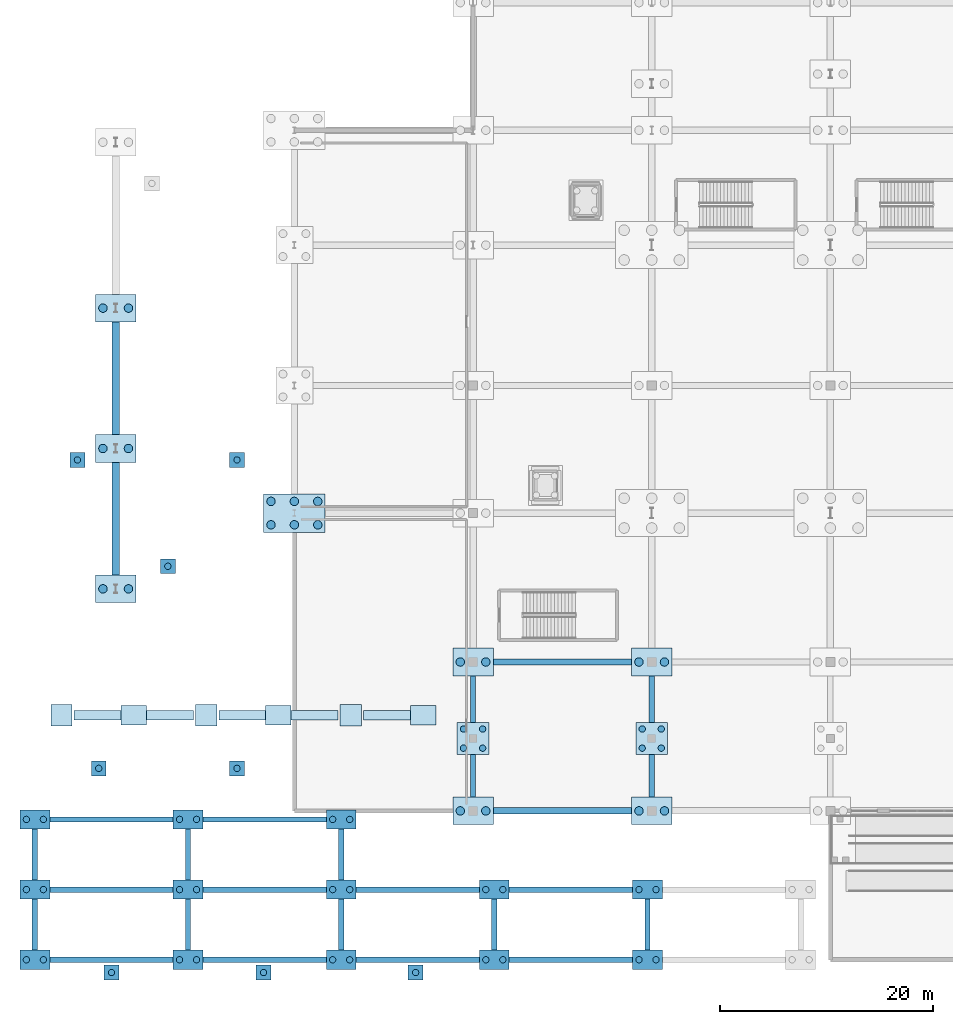
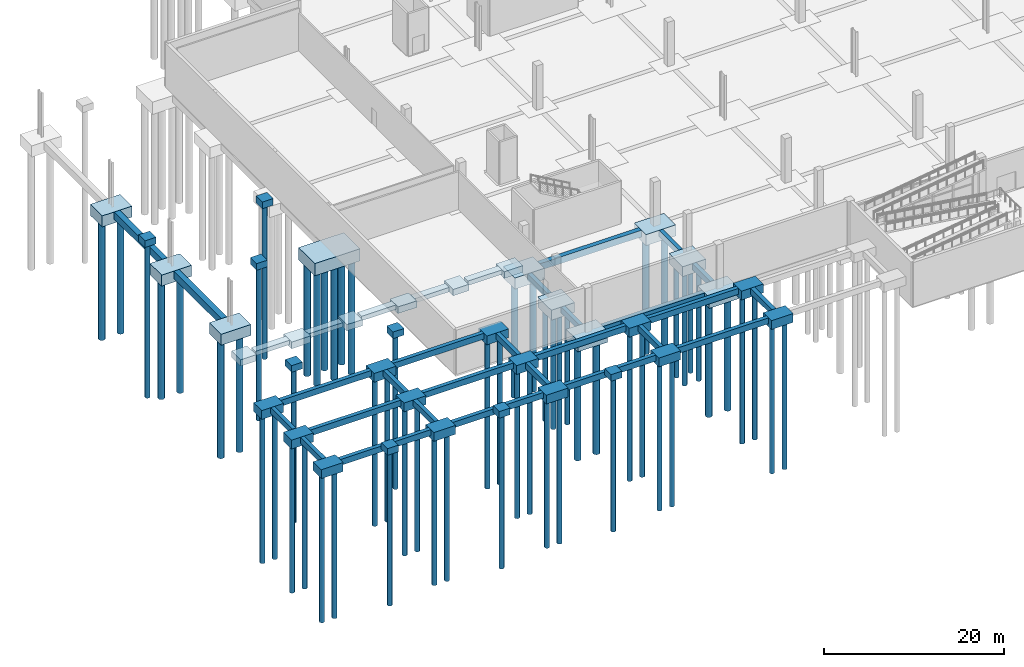
# One storey, part 1 of 46: 68 footings, 62 piles.
"""IFC4 building model written with IfcOpenShell, lengths in metres."""

from ifc_helpers import new_model, si_unit, direction, frame, origin, origin_2d, place, context, subcontext, project, spatial, rectangle, circle, extrude, material, material_profile, profile_set, type_object, element, save


model = new_model("IFC4")

# Units and contexts
model_context = context("Model", 3, precision=1e-05, world=origin(), true_north=direction((0.0, 1.0)))
body_context = subcontext(model_context, "Body", "Model", "MODEL_VIEW")
ifc_project = project(units=[si_unit("LENGTHUNIT", "METRE"), si_unit("AREAUNIT", "SQUARE_METRE"), si_unit("VOLUMEUNIT", "CUBIC_METRE"), si_unit("PLANEANGLEUNIT", "RADIAN"), si_unit("MASSUNIT", "GRAM", prefix="KILO")], contexts=[model_context])

# Site, building, storey
site_placement = place(None, origin())
site = spatial("IfcSite", under=ifc_project, at=site_placement, CompositionType="ELEMENT")
building_placement = place(site_placement, origin())
building = spatial("IfcBuilding", under=site, at=building_placement, Name="Kimbaza Rail Terminus", CompositionType="ELEMENT")
storey_placement = place(building_placement, frame((0.0, 0.0, -6.0)))
storey = spatial("IfcBuildingStorey", under=building, at=storey_placement, Name="B1", CompositionType="ELEMENT", Elevation=-6.0)

# Footings
ifc_material_1 = material(Name="Concrete C40/50", Category="concrete")
ifc_material_profile_1 = material_profile(ifc_material_1, rectangle(XDim=0.60009765625, YDim=0.89990234375, at=origin_2d()), Name="GB-01 600x900")
ifc_profile_set_1 = profile_set([ifc_material_profile_1], Name="Concrete C40/50")
footing_type_1 = type_object("IfcFootingType", Name="STR-GB-01", PredefinedType="FOOTING_BEAM", material=ifc_profile_set_1)
for number, where, z_axis, x_axis, name in (
    (1, (57.10205078125, 27.0, -0.449951171875), (1.0, 0.0, 0.0), (0.0, 1.0, 0.0), "Ground Tie Beam GB-V2X-1-0"),
    (2, (57.10205078125, 41.0, -0.449951171875), (1.0, 0.0, 0.0), (0.0, 1.0, 0.0), "Ground Tie Beam GB-V2X-1-1"),
):
    element("IfcFooting", number, at=place(storey_placement, frame(where, z_axis=z_axis, x_axis=x_axis)), inside=storey, type_object=footing_type_1, Name=name, PredefinedType="FOOTING_BEAM", context=body_context, shape_type="SweptSolid", body=[
        extrude(rectangle(XDim=0.60009765625, YDim=0.89990234375, at=origin_2d()), origin(), (0.0, 0.0, 1.0), 12.995849609375),
    ])
ifc_material_2 = material(Name="Concrete C40/50", Category="concrete")
ifc_material_profile_2 = material_profile(ifc_material_2, rectangle(XDim=0.5, YDim=0.800048828125, at=origin_2d()), Name="GB-02 500x800")
ifc_profile_set_2 = profile_set([ifc_material_profile_2], Name="Concrete C40/50")
footing_type_2 = type_object("IfcFootingType", Name="STR-GB-02", PredefinedType="FOOTING_BEAM", material=ifc_profile_set_2)
footing_1_placement = place(storey_placement, frame((55.199951171875, 28.302001953125, -0.39990234375), z_axis=(0.0, 1.0, 0.0), x_axis=(-1.0, 0.0, 0.0)))
element("IfcFooting", 3, at=footing_1_placement, inside=storey, type_object=footing_type_2, Name="Ground Tie Beam GB-COL-0A", PredefinedType="FOOTING_BEAM", context=body_context, shape_type="SweptSolid", body=[
    extrude(rectangle(XDim=0.5, YDim=0.800048828125, at=origin_2d()), origin(), (0.0, 0.0, 1.0), 3.99609375),
])
footing_2_placement = place(storey_placement, frame((55.199951171875, 35.302001953125, -0.39990234375), z_axis=(0.0, 1.0, 0.0), x_axis=(-1.0, 0.0, 0.0)))
element("IfcFooting", 4, at=footing_2_placement, inside=storey, type_object=footing_type_2, Name="Ground Tie Beam GB-COL-0B", PredefinedType="FOOTING_BEAM", context=body_context, shape_type="SweptSolid", body=[
    extrude(rectangle(XDim=0.5, YDim=0.800048828125, at=origin_2d()), origin(), (0.0, 0.0, 1.0), 4.39599609375),
])
footing_3_placement = place(storey_placement, frame((72.0, 28.302001953125, -0.39990234375), z_axis=(0.0, 1.0, 0.0), x_axis=(-1.0, 0.0, 0.0)))
element("IfcFooting", 5, at=footing_3_placement, inside=storey, type_object=footing_type_2, Name="Ground Tie Beam GB-COL-1A", PredefinedType="FOOTING_BEAM", context=body_context, shape_type="SweptSolid", body=[
    extrude(rectangle(XDim=0.5, YDim=0.800048828125, at=origin_2d()), origin(), (0.0, 0.0, 1.0), 3.99609375),
])
footing_4_placement = place(storey_placement, frame((72.0, 35.302001953125, -0.39990234375), z_axis=(0.0, 1.0, 0.0), x_axis=(-1.0, 0.0, 0.0)))
element("IfcFooting", 6, at=footing_4_placement, inside=storey, type_object=footing_type_2, Name="Ground Tie Beam GB-COL-1B", PredefinedType="FOOTING_BEAM", context=body_context, shape_type="SweptSolid", body=[
    extrude(rectangle(XDim=0.5, YDim=0.800048828125, at=origin_2d()), origin(), (0.0, 0.0, 1.0), 4.39599609375),
])
footing_5_placement = place(storey_placement, frame((15.402099609375, 13.0, 4.64990234375), z_axis=(1.0, 0.0, 0.0), x_axis=(0.0, 1.0, 0.0)))
element("IfcFooting", 7, at=footing_5_placement, inside=storey, type_object=footing_type_2, Name="Ground Tie Beam GB-V3X-0-0", PredefinedType="FOOTING_BEAM", context=body_context, shape_type="SweptSolid", body=[
    extrude(rectangle(XDim=0.5, YDim=0.800048828125, at=origin_2d()), origin(), (0.0, 0.0, 1.0), 11.595947265625),
])
footing_6_placement = place(storey_placement, frame((14.0, 13.902099609375, 4.64990234375), z_axis=(0.0, 1.0, 0.0), x_axis=(-1.0, 0.0, 0.0)))
element("IfcFooting", 8, at=footing_6_placement, inside=storey, type_object=footing_type_2, Name="Ground Tie Beam GB-V3Y-0-0", PredefinedType="FOOTING_BEAM", context=body_context, shape_type="SweptSolid", body=[
    extrude(rectangle(XDim=0.5, YDim=0.800048828125, at=origin_2d()), origin(), (0.0, 0.0, 1.0), 4.7958984375),
])
footing_7_placement = place(storey_placement, frame((15.402099609375, 19.60009765625, 4.64990234375), z_axis=(1.0, 0.0, 0.0), x_axis=(0.0, 1.0, 0.0)))
element("IfcFooting", 9, at=footing_7_placement, inside=storey, type_object=footing_type_2, Name="Ground Tie Beam GB-V3X-0-1", PredefinedType="FOOTING_BEAM", context=body_context, shape_type="SweptSolid", body=[
    extrude(rectangle(XDim=0.5, YDim=0.800048828125, at=origin_2d()), origin(), (0.0, 0.0, 1.0), 11.595947265625),
])
footing_8_placement = place(storey_placement, frame((14.0, 20.501953125, 4.64990234375), z_axis=(0.0, 1.0, 0.0), x_axis=(-1.0, 0.0, 0.0)))
element("IfcFooting", 10, at=footing_8_placement, inside=storey, type_object=footing_type_2, Name="Ground Tie Beam GB-V3Y-0-1", PredefinedType="FOOTING_BEAM", context=body_context, shape_type="SweptSolid", body=[
    extrude(rectangle(XDim=0.5, YDim=0.800048828125, at=origin_2d()), origin(), (0.0, 0.0, 1.0), 4.796142578125),
])
for number, where, z_axis, x_axis, name in (
    (11, (15.402099609375, 26.199951171875, 4.64990234375), (1.0, 0.0, 0.0), (0.0, 1.0, 0.0), "Ground Tie Beam GB-V3X-0-2"),
    (12, (29.802001953125, 13.0, 4.64990234375), (1.0, 0.0, 0.0), (0.0, 1.0, 0.0), "Ground Tie Beam GB-V3X-1-0"),
):
    element("IfcFooting", number, at=place(storey_placement, frame(where, z_axis=z_axis, x_axis=x_axis)), inside=storey, type_object=footing_type_2, Name=name, PredefinedType="FOOTING_BEAM", context=body_context, shape_type="SweptSolid", body=[
        extrude(rectangle(XDim=0.5, YDim=0.800048828125, at=origin_2d()), origin(), (0.0, 0.0, 1.0), 11.595947265625),
    ])
footing_9_placement = place(storey_placement, frame((28.39990234375, 13.902099609375, 4.64990234375), z_axis=(0.0, 1.0, 0.0), x_axis=(-1.0, 0.0, 0.0)))
element("IfcFooting", 13, at=footing_9_placement, inside=storey, type_object=footing_type_2, Name="Ground Tie Beam GB-V3Y-1-0", PredefinedType="FOOTING_BEAM", context=body_context, shape_type="SweptSolid", body=[
    extrude(rectangle(XDim=0.5, YDim=0.800048828125, at=origin_2d()), origin(), (0.0, 0.0, 1.0), 4.7958984375),
])
footing_10_placement = place(storey_placement, frame((29.802001953125, 19.60009765625, 4.64990234375), z_axis=(1.0, 0.0, 0.0), x_axis=(0.0, 1.0, 0.0)))
element("IfcFooting", 14, at=footing_10_placement, inside=storey, type_object=footing_type_2, Name="Ground Tie Beam GB-V3X-1-1", PredefinedType="FOOTING_BEAM", context=body_context, shape_type="SweptSolid", body=[
    extrude(rectangle(XDim=0.5, YDim=0.800048828125, at=origin_2d()), origin(), (0.0, 0.0, 1.0), 11.595947265625),
])
footing_11_placement = place(storey_placement, frame((28.39990234375, 20.501953125, 4.64990234375), z_axis=(0.0, 1.0, 0.0), x_axis=(-1.0, 0.0, 0.0)))
element("IfcFooting", 15, at=footing_11_placement, inside=storey, type_object=footing_type_2, Name="Ground Tie Beam GB-V3Y-1-1", PredefinedType="FOOTING_BEAM", context=body_context, shape_type="SweptSolid", body=[
    extrude(rectangle(XDim=0.5, YDim=0.800048828125, at=origin_2d()), origin(), (0.0, 0.0, 1.0), 4.796142578125),
])
footing_12_placement = place(storey_placement, frame((29.802001953125, 26.199951171875, 4.64990234375), z_axis=(1.0, 0.0, 0.0), x_axis=(0.0, 1.0, 0.0)))
element("IfcFooting", 16, at=footing_12_placement, inside=storey, type_object=footing_type_2, Name="Ground Tie Beam GB-V3X-1-2", PredefinedType="FOOTING_BEAM", context=body_context, shape_type="SweptSolid", body=[
    extrude(rectangle(XDim=0.5, YDim=0.800048828125, at=origin_2d()), origin(), (0.0, 0.0, 1.0), 11.595947265625),
])
footing_13_placement = place(storey_placement, frame((44.201904296875, 13.0, 4.64990234375), z_axis=(1.0, 0.0, 0.0), x_axis=(0.0, 1.0, 0.0)))
element("IfcFooting", 17, at=footing_13_placement, inside=storey, type_object=footing_type_2, Name="Ground Tie Beam GB-V3X-2-0", PredefinedType="FOOTING_BEAM", context=body_context, shape_type="SweptSolid", body=[
    extrude(rectangle(XDim=0.5, YDim=0.800048828125, at=origin_2d()), origin(), (0.0, 0.0, 1.0), 11.59619140625),
])
footing_14_placement = place(storey_placement, frame((42.800048828125, 13.902099609375, 4.64990234375), z_axis=(0.0, 1.0, 0.0), x_axis=(-1.0, 0.0, 0.0)))
element("IfcFooting", 18, at=footing_14_placement, inside=storey, type_object=footing_type_2, Name="Ground Tie Beam GB-V3Y-2-0", PredefinedType="FOOTING_BEAM", context=body_context, shape_type="SweptSolid", body=[
    extrude(rectangle(XDim=0.5, YDim=0.800048828125, at=origin_2d()), origin(), (0.0, 0.0, 1.0), 4.7958984375),
])
footing_15_placement = place(storey_placement, frame((44.201904296875, 19.60009765625, 4.64990234375), z_axis=(1.0, 0.0, 0.0), x_axis=(0.0, 1.0, 0.0)))
element("IfcFooting", 19, at=footing_15_placement, inside=storey, type_object=footing_type_2, Name="Ground Tie Beam GB-V3X-2-1", PredefinedType="FOOTING_BEAM", context=body_context, shape_type="SweptSolid", body=[
    extrude(rectangle(XDim=0.5, YDim=0.800048828125, at=origin_2d()), origin(), (0.0, 0.0, 1.0), 11.59619140625),
])
footing_16_placement = place(storey_placement, frame((42.800048828125, 20.501953125, 4.64990234375), z_axis=(0.0, 1.0, 0.0), x_axis=(-1.0, 0.0, 0.0)))
element("IfcFooting", 20, at=footing_16_placement, inside=storey, type_object=footing_type_2, Name="Ground Tie Beam GB-V3Y-2-1", PredefinedType="FOOTING_BEAM", context=body_context, shape_type="SweptSolid", body=[
    extrude(rectangle(XDim=0.5, YDim=0.800048828125, at=origin_2d()), origin(), (0.0, 0.0, 1.0), 4.796142578125),
])
footing_17_placement = place(storey_placement, frame((58.60205078125, 13.0, 4.64990234375), z_axis=(1.0, 0.0, 0.0), x_axis=(0.0, 1.0, 0.0)))
element("IfcFooting", 21, at=footing_17_placement, inside=storey, type_object=footing_type_2, Name="Ground Tie Beam GB-V3X-3-0", PredefinedType="FOOTING_BEAM", context=body_context, shape_type="SweptSolid", body=[
    extrude(rectangle(XDim=0.5, YDim=0.800048828125, at=origin_2d()), origin(), (0.0, 0.0, 1.0), 11.595947265625),
])
footing_18_placement = place(storey_placement, frame((57.199951171875, 13.902099609375, 4.64990234375), z_axis=(0.0, 1.0, 0.0), x_axis=(-1.0, 0.0, 0.0)))
element("IfcFooting", 22, at=footing_18_placement, inside=storey, type_object=footing_type_2, Name="Ground Tie Beam GB-V3Y-3-0", PredefinedType="FOOTING_BEAM", context=body_context, shape_type="SweptSolid", body=[
    extrude(rectangle(XDim=0.5, YDim=0.800048828125, at=origin_2d()), origin(), (0.0, 0.0, 1.0), 4.7958984375),
])
footing_19_placement = place(storey_placement, frame((58.60205078125, 19.60009765625, 4.64990234375), z_axis=(1.0, 0.0, 0.0), x_axis=(0.0, 1.0, 0.0)))
element("IfcFooting", 23, at=footing_19_placement, inside=storey, type_object=footing_type_2, Name="Ground Tie Beam GB-V3X-3-1", PredefinedType="FOOTING_BEAM", context=body_context, shape_type="SweptSolid", body=[
    extrude(rectangle(XDim=0.5, YDim=0.800048828125, at=origin_2d()), origin(), (0.0, 0.0, 1.0), 11.595947265625),
])
footing_20_placement = place(storey_placement, frame((71.60009765625, 13.902099609375, 4.64990234375), z_axis=(0.0, 1.0, 0.0), x_axis=(-1.0, 0.0, 0.0)))
element("IfcFooting", 24, at=footing_20_placement, inside=storey, type_object=footing_type_2, Name="Ground Tie Beam GB-V3Y-4-0", PredefinedType="FOOTING_BEAM", context=body_context, shape_type="SweptSolid", body=[
    extrude(rectangle(XDim=0.5, YDim=0.800048828125, at=origin_2d()), origin(), (0.0, 0.0, 1.0), 4.7958984375),
])
ifc_material_3 = material(Name="Concrete C40/50", Category="concrete")
ifc_material_profile_3 = material_profile(ifc_material_3, rectangle(XDim=0.699951171875, YDim=1.0, at=origin_2d()), Name="GB-03 700x1000")
ifc_profile_set_3 = profile_set([ifc_material_profile_3], Name="Concrete C40/50")
footing_type_3 = type_object("IfcFootingType", Name="STR-GB-03", PredefinedType="FOOTING_BEAM", material=ifc_profile_set_3)
footing_21_placement = place(storey_placement, frame((21.60009765625, 49.177978515625, -0.5), z_axis=(0.0, 1.0, 0.0), x_axis=(-1.0, 0.0, 0.0)))
element("IfcFooting", 25, at=footing_21_placement, inside=storey, type_object=footing_type_3, Name="Ground Tie Beam GB-VDY-0-0", PredefinedType="FOOTING_BEAM", context=body_context, shape_type="SweptSolid", body=[
    extrude(rectangle(XDim=0.699951171875, YDim=1.0, at=origin_2d()), origin(), (0.0, 0.0, 1.0), 10.595947265625),
])
footing_22_placement = place(storey_placement, frame((21.60009765625, 62.3779296875, -0.5), z_axis=(0.0, 1.0, 0.0), x_axis=(-1.0, 0.0, 0.0)))
element("IfcFooting", 26, at=footing_22_placement, inside=storey, type_object=footing_type_3, Name="Ground Tie Beam GB-VDY-0-1", PredefinedType="FOOTING_BEAM", context=body_context, shape_type="SweptSolid", body=[
    extrude(rectangle(XDim=0.699951171875, YDim=1.0, at=origin_2d()), origin(), (0.0, 0.0, 1.0), 10.59619140625),
])
ifc_material_4 = material(Name="Concrete C40/50", Category="concrete")
footing_type_4 = type_object("IfcFootingType", Name="STR-PC-01", PredefinedType="PILE_CAP", material=ifc_material_4)
for number, where, z_axis, x_axis, name in (
    (27, (14.0, 13.0, 3.85009765625), (0.0, 0.0, 1.0), (1.0, 0.0, 0.0), "Pile Cap PC-01 at (14.0,13.0)"),
    (28, (14.0, 19.60009765625, 3.85009765625), (0.0, 0.0, 1.0), (1.0, 0.0, 0.0), "Pile Cap PC-01 at (14.0,19.6)"),
    (29, (14.0, 26.199951171875, 3.85009765625), (0.0, 0.0, 1.0), (1.0, 0.0, 0.0), "Pile Cap PC-01 at (14.0,26.2)"),
    (30, (28.39990234375, 13.0, 3.85009765625), (0.0, 0.0, 1.0), (1.0, 0.0, 0.0), "Pile Cap PC-01 at (28.4,13.0)"),
    (31, (28.39990234375, 19.60009765625, 3.85009765625), (0.0, 0.0, 1.0), (1.0, 0.0, 0.0), "Pile Cap PC-01 at (28.4,19.6)"),
    (32, (28.39990234375, 26.199951171875, 3.85009765625), (0.0, 0.0, 1.0), (1.0, 0.0, 0.0), "Pile Cap PC-01 at (28.4,26.2)"),
    (33, (42.800048828125, 13.0, 3.85009765625), (0.0, 0.0, 1.0), (1.0, 0.0, 0.0), "Pile Cap PC-01 at (42.8,13.0)"),
    (34, (42.800048828125, 19.60009765625, 3.85009765625), (0.0, 0.0, 1.0), (1.0, 0.0, 0.0), "Pile Cap PC-01 at (42.8,19.6)"),
    (35, (42.800048828125, 26.199951171875, 3.85009765625), (0.0, 0.0, 1.0), (1.0, 0.0, 0.0), "Pile Cap PC-01 at (42.8,26.2)"),
    (36, (57.199951171875, 13.0, 3.85009765625), (0.0, 0.0, 1.0), (1.0, 0.0, 0.0), "Pile Cap PC-01 at (57.2,13.0)"),
    (37, (57.199951171875, 19.60009765625, 3.85009765625), (0.0, 0.0, 1.0), (1.0, 0.0, 0.0), "Pile Cap PC-01 at (57.2,19.6)"),
    (38, (71.60009765625, 13.0, 3.85009765625), (0.0, 0.0, 1.0), (1.0, 0.0, 0.0), "Pile Cap PC-01 at (71.6,13.0)"),
    (39, (71.60009765625, 19.60009765625, 3.85009765625), (0.0, 0.0, 1.0), (1.0, 0.0, 0.0), "Pile Cap PC-01 at (71.6,19.6)"),
):
    element("IfcFooting", number, at=place(storey_placement, frame(where, z_axis=z_axis, x_axis=x_axis)), inside=storey, type_object=footing_type_4, Name=name, PredefinedType="PILE_CAP", context=body_context, shape_type="SweptSolid", body=[
        extrude(rectangle(XDim=2.800048828125, YDim=1.800048828125, at=origin_2d()), origin(), (0.0, 0.0, 1.0), 1.199951171875),
    ])
ifc_material_5 = material(Name="Concrete C40/50", Category="concrete")
footing_type_5 = type_object("IfcFootingType", Name="STR-PC-02", PredefinedType="PILE_CAP", material=ifc_material_5)
for number, where, z_axis, x_axis, name in (
    (40, (55.199951171875, 33.800048828125, -1.35009765625), (0.0, 0.0, 1.0), (1.0, 0.0, 0.0), "Pile Cap PC-02 at (55.2,33.8)"),
    (41, (72.0, 33.800048828125, -1.35009765625), (0.0, 0.0, 1.0), (1.0, 0.0, 0.0), "Pile Cap PC-02 at (72.0,33.8)"),
):
    element("IfcFooting", number, at=place(storey_placement, frame(where, z_axis=z_axis, x_axis=x_axis)), inside=storey, type_object=footing_type_5, Name=name, PredefinedType="PILE_CAP", context=body_context, shape_type="SweptSolid", body=[
        extrude(rectangle(XDim=3.0, YDim=3.0, at=origin_2d()), origin(), (0.0, 0.0, 1.0), 1.35009765625),
    ])
ifc_material_6 = material(Name="Concrete C40/50", Category="concrete")
footing_type_6 = type_object("IfcFootingType", Name="STR-PC-04", PredefinedType="PILE_CAP", material=ifc_material_6)
for number, where, z_axis, x_axis, name in (
    (42, (55.199951171875, 27.0, -1.5), (0.0, 0.0, 1.0), (1.0, 0.0, 0.0), "Pile Cap PC-04 at (55.2,27.0)"),
    (43, (55.199951171875, 41.0, -1.5), (0.0, 0.0, 1.0), (1.0, 0.0, 0.0), "Pile Cap PC-04 at (55.2,41.0)"),
    (44, (72.0, 27.0, -1.5), (0.0, 0.0, 1.0), (1.0, 0.0, 0.0), "Pile Cap PC-04 at (72.0,27.0)"),
    (45, (72.0, 41.0, -1.5), (0.0, 0.0, 1.0), (1.0, 0.0, 0.0), "Pile Cap PC-04 at (72.0,41.0)"),
    (46, (21.60009765625, 47.8759765625, -1.5), (0.0, 0.0, 1.0), (1.0, 0.0, 0.0), "Pile Cap PC-04 at (21.6,47.9)"),
    (47, (21.60009765625, 61.075927734375, -1.5), (0.0, 0.0, 1.0), (1.0, 0.0, 0.0), "Pile Cap PC-04 at (21.6,61.1)"),
    (48, (21.60009765625, 74.27587890625, -1.5), (0.0, 0.0, 1.0), (1.0, 0.0, 0.0), "Pile Cap PC-04 at (21.6,74.3)"),
):
    element("IfcFooting", number, at=place(storey_placement, frame(where, z_axis=z_axis, x_axis=x_axis)), inside=storey, type_object=footing_type_6, Name=name, PredefinedType="PILE_CAP", context=body_context, shape_type="SweptSolid", body=[
        extrude(rectangle(XDim=3.800048828125, YDim=2.60009765625, at=origin_2d()), origin(), (0.0, 0.0, 1.0), 1.5),
    ])
ifc_material_7 = material(Name="Concrete C40/50", Category="concrete")
footing_type_7 = type_object("IfcFootingType", Name="STR-PC-05", PredefinedType="PILE_CAP", material=ifc_material_7)
footing_23_placement = place(storey_placement, frame((38.39990234375, 55.0, -1.64990234375), z_axis=(0.0, 0.0, 1.0), x_axis=(1.0, 0.0, 0.0)))
element("IfcFooting", 49, at=footing_23_placement, inside=storey, type_object=footing_type_7, Name="Pile Cap PC-05 at (38.4,55.0)", PredefinedType="PILE_CAP", context=body_context, shape_type="SweptSolid", body=[
    extrude(rectangle(XDim=5.800048828125, YDim=3.60009765625, at=origin_2d()), origin(), (0.0, 0.0, 1.0), 1.64990234375),
])
ifc_material_8 = material(Name="Concrete C40/50", Category="concrete")
footing_type_8 = type_object("IfcFootingType", Name="STR-PC-09", PredefinedType="PILE_CAP", material=ifc_material_8)
for number, where, z_axis, x_axis, name in (
    (50, (20.0, 31.0, 4.85009765625), (0.0, 0.0, 1.0), (1.0, 0.0, 0.0), "Pile Cap PC-09 at (20.0,31.0)"),
    (51, (33.0, 31.0, 4.85009765625), (0.0, 0.0, 1.0), (1.0, 0.0, 0.0), "Pile Cap PC-09 at (33.0,31.0)"),
    (52, (26.5, 50.0, 4.85009765625), (0.0, 0.0, 1.0), (1.0, 0.0, 0.0), "Pile Cap PC-09 at (26.5,50.0)"),
    (53, (18.0, 60.0, 4.85009765625), (0.0, 0.0, 1.0), (1.0, 0.0, 0.0), "Pile Cap PC-09 at (18.0,60.0)"),
    (54, (33.0, 60.0, 4.85009765625), (0.0, 0.0, 1.0), (1.0, 0.0, 0.0), "Pile Cap PC-09 at (33.0,60.0)"),
    (55, (21.199951171875, 11.800048828125, 4.85009765625), (0.0, 0.0, 1.0), (1.0, 0.0, 0.0), "Kiosk Sidewalk Pile Cap 1"),
    (56, (49.800048828125, 11.800048828125, 4.85009765625), (0.0, 0.0, 1.0), (1.0, 0.0, 0.0), "Kiosk Sidewalk Pile Cap 2"),
    (57, (35.5, 11.800048828125, 4.85009765625), (0.0, 0.0, 1.0), (1.0, 0.0, 0.0), "Kiosk Sidewalk Pile Cap 3"),
):
    element("IfcFooting", number, at=place(storey_placement, frame(where, z_axis=z_axis, x_axis=x_axis)), inside=storey, type_object=footing_type_8, Name=name, PredefinedType="PILE_CAP", context=body_context, shape_type="SweptSolid", body=[
        extrude(rectangle(XDim=1.39990234375, YDim=1.39990234375, at=origin_2d()), origin(), (0.0, 0.0, 1.0), 0.89990234375),
    ])
ifc_material_9 = material(Name="Concrete C40/50", Category="concrete")
footing_type_9 = type_object("IfcFootingType", Name="STR-PF-01", PredefinedType="PAD_FOOTING", material=ifc_material_9)
for number, where, z_axis, x_axis, name in (
    (58, (16.5, 36.0, 4.175048828125), (0.0, 0.0, 1.0), (1.0, 0.0, 0.0), "Forecourt Pergola Pad Footing 1"),
    (59, (30.10009765625, 36.0, 4.175048828125), (0.0, 0.0, 1.0), (1.0, 0.0, 0.0), "Forecourt Pergola Pad Footing 3"),
    (60, (43.699951171875, 36.0, 4.175048828125), (0.0, 0.0, 1.0), (1.0, 0.0, 0.0), "Forecourt Pergola Pad Footing 5"),
):
    element("IfcFooting", number, at=place(storey_placement, frame(where, z_axis=z_axis, x_axis=x_axis)), inside=storey, type_object=footing_type_9, Name=name, PredefinedType="PAD_FOOTING", context=body_context, shape_type="SweptSolid", body=[
        extrude(rectangle(XDim=2.0, YDim=2.0, at=origin_2d()), origin(), (0.0, 0.0, 1.0), 0.85009765625),
    ])
ifc_material_10 = material(Name="Concrete C40/50", Category="concrete")
footing_type_10 = type_object("IfcFootingType", Name="STR-PF-02", PredefinedType="PAD_FOOTING", material=ifc_material_10)
for number, where, z_axis, x_axis, name in (
    (61, (23.300048828125, 36.0, 4.150146484375), (0.0, 0.0, 1.0), (1.0, 0.0, 0.0), "Forecourt Pergola Pad Footing 2"),
    (62, (36.89990234375, 36.0, 4.150146484375), (0.0, 0.0, 1.0), (1.0, 0.0, 0.0), "Forecourt Pergola Pad Footing 4"),
    (63, (50.5, 36.0, 4.150146484375), (0.0, 0.0, 1.0), (1.0, 0.0, 0.0), "Forecourt Pergola Pad Footing 6"),
):
    element("IfcFooting", number, at=place(storey_placement, frame(where, z_axis=z_axis, x_axis=x_axis)), inside=storey, type_object=footing_type_10, Name=name, PredefinedType="PAD_FOOTING", context=body_context, shape_type="SweptSolid", body=[
        extrude(rectangle(XDim=2.39990234375, YDim=1.800048828125, at=origin_2d()), origin(), (0.0, 0.0, 1.0), 0.89990234375),
    ])

# Piles
ifc_material_11 = material(Name="Concrete C35/45", Category="concrete")
ifc_material_profile_4 = material_profile(ifc_material_11, circle(Radius=0.300048828125, at=origin_2d()), Name="BORED PILE 600")
ifc_profile_set_4 = profile_set([ifc_material_profile_4], Name="Concrete C35/45")
pile_type_1 = type_object("IfcPileType", Name="STR-PILE-600", PredefinedType="BORED", material=ifc_profile_set_4)
for number, where, z_axis, x_axis, name in (
    (64, (54.300048828125, 32.89990234375, -1.25), (0.0, 0.0, -1.0), (1.0, 0.0, 0.0), "Bored Pile 600 #1"),
    (65, (56.10009765625, 32.89990234375, -1.25), (0.0, 0.0, -1.0), (1.0, 0.0, 0.0), "Bored Pile 600 #2"),
    (66, (54.300048828125, 34.699951171875, -1.25), (0.0, 0.0, -1.0), (1.0, 0.0, 0.0), "Bored Pile 600 #3"),
    (67, (56.10009765625, 34.699951171875, -1.25), (0.0, 0.0, -1.0), (1.0, 0.0, 0.0), "Bored Pile 600 #4"),
    (68, (71.10009765625, 32.89990234375, -1.25), (0.0, 0.0, -1.0), (1.0, 0.0, 0.0), "Bored Pile 600 #1"),
    (69, (72.89990234375, 32.89990234375, -1.25), (0.0, 0.0, -1.0), (1.0, 0.0, 0.0), "Bored Pile 600 #2"),
    (70, (71.10009765625, 34.699951171875, -1.25), (0.0, 0.0, -1.0), (1.0, 0.0, 0.0), "Bored Pile 600 #3"),
    (71, (72.89990234375, 34.699951171875, -1.25), (0.0, 0.0, -1.0), (1.0, 0.0, 0.0), "Bored Pile 600 #4"),
):
    element("IfcPile", number, at=place(storey_placement, frame(where, z_axis=z_axis, x_axis=x_axis)), inside=storey, type_object=pile_type_1, Name=name, PredefinedType="BORED", context=body_context, shape_type="SweptSolid", body=[
        extrude(circle(Radius=0.300048828125, at=origin_2d()), origin(), (0.0, 0.0, 1.0), 15.25),
    ])
for number, where, z_axis, x_axis, name in (
    (72, (20.0, 31.0, 4.949951171875), (0.0, 0.0, -1.0), (1.0, 0.0, 0.0), "Bored Pile 600 #1"),
    (73, (33.0, 31.0, 4.949951171875), (0.0, 0.0, -1.0), (1.0, 0.0, 0.0), "Bored Pile 600 #1"),
    (74, (26.5, 50.0, 4.949951171875), (0.0, 0.0, -1.0), (1.0, 0.0, 0.0), "Bored Pile 600 #1"),
    (75, (18.0, 60.0, 4.949951171875), (0.0, 0.0, -1.0), (1.0, 0.0, 0.0), "Bored Pile 600 #1"),
    (76, (33.0, 60.0, 4.949951171875), (0.0, 0.0, -1.0), (1.0, 0.0, 0.0), "Bored Pile 600 #1"),
):
    element("IfcPile", number, at=place(storey_placement, frame(where, z_axis=z_axis, x_axis=x_axis)), inside=storey, type_object=pile_type_1, Name=name, PredefinedType="BORED", context=body_context, shape_type="SweptSolid", body=[
        extrude(circle(Radius=0.300048828125, at=origin_2d()), origin(), (0.0, 0.0, 1.0), 20.949951171875),
    ])
for number, where, z_axis, x_axis, name in (
    (77, (13.199951171875, 13.0, 3.949951171875), (0.0, 0.0, -1.0), (1.0, 0.0, 0.0), "Bored Pile 600 #1"),
    (78, (14.800048828125, 13.0, 3.949951171875), (0.0, 0.0, -1.0), (1.0, 0.0, 0.0), "Bored Pile 600 #2"),
    (79, (13.199951171875, 19.60009765625, 3.949951171875), (0.0, 0.0, -1.0), (1.0, 0.0, 0.0), "Bored Pile 600 #1"),
    (80, (14.800048828125, 19.60009765625, 3.949951171875), (0.0, 0.0, -1.0), (1.0, 0.0, 0.0), "Bored Pile 600 #2"),
    (81, (13.199951171875, 26.199951171875, 3.949951171875), (0.0, 0.0, -1.0), (1.0, 0.0, 0.0), "Bored Pile 600 #1"),
    (82, (14.800048828125, 26.199951171875, 3.949951171875), (0.0, 0.0, -1.0), (1.0, 0.0, 0.0), "Bored Pile 600 #2"),
    (83, (27.60009765625, 13.0, 3.949951171875), (0.0, 0.0, -1.0), (1.0, 0.0, 0.0), "Bored Pile 600 #1"),
    (84, (29.199951171875, 13.0, 3.949951171875), (0.0, 0.0, -1.0), (1.0, 0.0, 0.0), "Bored Pile 600 #2"),
    (85, (27.60009765625, 19.60009765625, 3.949951171875), (0.0, 0.0, -1.0), (1.0, 0.0, 0.0), "Bored Pile 600 #1"),
    (86, (29.199951171875, 19.60009765625, 3.949951171875), (0.0, 0.0, -1.0), (1.0, 0.0, 0.0), "Bored Pile 600 #2"),
    (87, (27.60009765625, 26.199951171875, 3.949951171875), (0.0, 0.0, -1.0), (1.0, 0.0, 0.0), "Bored Pile 600 #1"),
    (88, (29.199951171875, 26.199951171875, 3.949951171875), (0.0, 0.0, -1.0), (1.0, 0.0, 0.0), "Bored Pile 600 #2"),
    (89, (42.0, 13.0, 3.949951171875), (0.0, 0.0, -1.0), (1.0, 0.0, 0.0), "Bored Pile 600 #1"),
    (90, (43.60009765625, 13.0, 3.949951171875), (0.0, 0.0, -1.0), (1.0, 0.0, 0.0), "Bored Pile 600 #2"),
    (91, (42.0, 19.60009765625, 3.949951171875), (0.0, 0.0, -1.0), (1.0, 0.0, 0.0), "Bored Pile 600 #1"),
    (92, (43.60009765625, 19.60009765625, 3.949951171875), (0.0, 0.0, -1.0), (1.0, 0.0, 0.0), "Bored Pile 600 #2"),
    (93, (42.0, 26.199951171875, 3.949951171875), (0.0, 0.0, -1.0), (1.0, 0.0, 0.0), "Bored Pile 600 #1"),
    (94, (43.60009765625, 26.199951171875, 3.949951171875), (0.0, 0.0, -1.0), (1.0, 0.0, 0.0), "Bored Pile 600 #2"),
    (95, (56.39990234375, 13.0, 3.949951171875), (0.0, 0.0, -1.0), (1.0, 0.0, 0.0), "Bored Pile 600 #1"),
    (96, (58.0, 13.0, 3.949951171875), (0.0, 0.0, -1.0), (1.0, 0.0, 0.0), "Bored Pile 600 #2"),
    (97, (56.39990234375, 19.60009765625, 3.949951171875), (0.0, 0.0, -1.0), (1.0, 0.0, 0.0), "Bored Pile 600 #1"),
    (98, (58.0, 19.60009765625, 3.949951171875), (0.0, 0.0, -1.0), (1.0, 0.0, 0.0), "Bored Pile 600 #2"),
    (99, (70.800048828125, 13.0, 3.949951171875), (0.0, 0.0, -1.0), (1.0, 0.0, 0.0), "Bored Pile 600 #1"),
    (100, (72.39990234375, 13.0, 3.949951171875), (0.0, 0.0, -1.0), (1.0, 0.0, 0.0), "Bored Pile 600 #2"),
    (101, (70.800048828125, 19.60009765625, 3.949951171875), (0.0, 0.0, -1.0), (1.0, 0.0, 0.0), "Bored Pile 600 #1"),
    (102, (72.39990234375, 19.60009765625, 3.949951171875), (0.0, 0.0, -1.0), (1.0, 0.0, 0.0), "Bored Pile 600 #2"),
):
    element("IfcPile", number, at=place(storey_placement, frame(where, z_axis=z_axis, x_axis=x_axis)), inside=storey, type_object=pile_type_1, Name=name, PredefinedType="BORED", context=body_context, shape_type="SweptSolid", body=[
        extrude(circle(Radius=0.300048828125, at=origin_2d()), origin(), (0.0, 0.0, 1.0), 20.14990234375),
    ])
for number, where, z_axis, x_axis, name in (
    (103, (21.199951171875, 11.800048828125, 4.949951171875), (0.0, 0.0, -1.0), (1.0, 0.0, 0.0), "Kiosk Sidewalk Pile 1"),
    (104, (49.800048828125, 11.800048828125, 4.949951171875), (0.0, 0.0, -1.0), (1.0, 0.0, 0.0), "Kiosk Sidewalk Pile 2"),
    (105, (35.5, 11.800048828125, 4.949951171875), (0.0, 0.0, -1.0), (1.0, 0.0, 0.0), "Kiosk Sidewalk Pile 3"),
):
    element("IfcPile", number, at=place(storey_placement, frame(where, z_axis=z_axis, x_axis=x_axis)), inside=storey, type_object=pile_type_1, Name=name, PredefinedType="BORED", context=body_context, shape_type="SweptSolid", body=[
        extrude(circle(Radius=0.300048828125, at=origin_2d()), origin(), (0.0, 0.0, 1.0), 20.949951171875),
    ])
ifc_material_12 = material(Name="Concrete C35/45", Category="concrete")
ifc_material_profile_5 = material_profile(ifc_material_12, circle(Radius=0.39990234375, at=origin_2d()), Name="BORED PILE 800")
ifc_profile_set_5 = profile_set([ifc_material_profile_5], Name="Concrete C35/45")
pile_type_2 = type_object("IfcPileType", Name="STR-PILE-800", PredefinedType="BORED", material=ifc_profile_set_5)
for number, where, z_axis, x_axis, name in (
    (106, (54.0, 27.0, -1.39990234375), (0.0, 0.0, -1.0), (1.0, 0.0, 0.0), "Bored Pile 800 #1"),
    (107, (56.39990234375, 27.0, -1.39990234375), (0.0, 0.0, -1.0), (1.0, 0.0, 0.0), "Bored Pile 800 #2"),
    (108, (54.0, 41.0, -1.39990234375), (0.0, 0.0, -1.0), (1.0, 0.0, 0.0), "Bored Pile 800 #1"),
    (109, (56.39990234375, 41.0, -1.39990234375), (0.0, 0.0, -1.0), (1.0, 0.0, 0.0), "Bored Pile 800 #2"),
    (110, (70.800048828125, 27.0, -1.39990234375), (0.0, 0.0, -1.0), (1.0, 0.0, 0.0), "Bored Pile 800 #1"),
    (111, (73.199951171875, 27.0, -1.39990234375), (0.0, 0.0, -1.0), (1.0, 0.0, 0.0), "Bored Pile 800 #2"),
    (112, (70.800048828125, 41.0, -1.39990234375), (0.0, 0.0, -1.0), (1.0, 0.0, 0.0), "Bored Pile 800 #1"),
    (113, (73.199951171875, 41.0, -1.39990234375), (0.0, 0.0, -1.0), (1.0, 0.0, 0.0), "Bored Pile 800 #2"),
):
    element("IfcPile", number, at=place(storey_placement, frame(where, z_axis=z_axis, x_axis=x_axis)), inside=storey, type_object=pile_type_2, Name=name, PredefinedType="BORED", context=body_context, shape_type="SweptSolid", body=[
        extrude(circle(Radius=0.39990234375, at=origin_2d()), origin(), (0.0, 0.0, 1.0), 15.60009765625),
    ])
for number, where, z_axis, x_axis, name in (
    (114, (36.199951171875, 53.89990234375, -1.550048828125), (0.0, 0.0, -1.0), (1.0, 0.0, 0.0), "Bored Pile 800 #1"),
    (115, (38.39990234375, 53.89990234375, -1.550048828125), (0.0, 0.0, -1.0), (1.0, 0.0, 0.0), "Bored Pile 800 #2"),
    (116, (40.60009765625, 53.89990234375, -1.550048828125), (0.0, 0.0, -1.0), (1.0, 0.0, 0.0), "Bored Pile 800 #3"),
    (117, (36.199951171875, 56.10009765625, -1.550048828125), (0.0, 0.0, -1.0), (1.0, 0.0, 0.0), "Bored Pile 800 #4"),
    (118, (38.39990234375, 56.10009765625, -1.550048828125), (0.0, 0.0, -1.0), (1.0, 0.0, 0.0), "Bored Pile 800 #5"),
    (119, (40.60009765625, 56.10009765625, -1.550048828125), (0.0, 0.0, -1.0), (1.0, 0.0, 0.0), "Bored Pile 800 #6"),
):
    element("IfcPile", number, at=place(storey_placement, frame(where, z_axis=z_axis, x_axis=x_axis)), inside=storey, type_object=pile_type_2, Name=name, PredefinedType="BORED", context=body_context, shape_type="SweptSolid", body=[
        extrude(circle(Radius=0.39990234375, at=origin_2d()), origin(), (0.0, 0.0, 1.0), 15.449951171875),
    ])
for number, where, z_axis, x_axis, name in (
    (120, (20.39990234375, 47.8759765625, -1.39990234375), (0.0, 0.0, -1.0), (1.0, 0.0, 0.0), "Bored Pile 800 #1"),
    (121, (22.800048828125, 47.8759765625, -1.39990234375), (0.0, 0.0, -1.0), (1.0, 0.0, 0.0), "Bored Pile 800 #2"),
    (122, (20.39990234375, 61.075927734375, -1.39990234375), (0.0, 0.0, -1.0), (1.0, 0.0, 0.0), "Bored Pile 800 #1"),
    (123, (22.800048828125, 61.075927734375, -1.39990234375), (0.0, 0.0, -1.0), (1.0, 0.0, 0.0), "Bored Pile 800 #2"),
    (124, (20.39990234375, 74.27587890625, -1.39990234375), (0.0, 0.0, -1.0), (1.0, 0.0, 0.0), "Bored Pile 800 #1"),
    (125, (22.800048828125, 74.27587890625, -1.39990234375), (0.0, 0.0, -1.0), (1.0, 0.0, 0.0), "Bored Pile 800 #2"),
):
    element("IfcPile", number, at=place(storey_placement, frame(where, z_axis=z_axis, x_axis=x_axis)), inside=storey, type_object=pile_type_2, Name=name, PredefinedType="BORED", context=body_context, shape_type="SweptSolid", body=[
        extrude(circle(Radius=0.39990234375, at=origin_2d()), origin(), (0.0, 0.0, 1.0), 16.199951171875),
    ])

# Footings
ifc_material_13 = material(Name="Concrete C40/50", Category="concrete")
ifc_material_profile_6 = material_profile(ifc_material_13, rectangle(XDim=0.89990234375, YDim=0.60009765625, at=origin_2d()), Name="SF-01 900x600")
ifc_profile_set_6 = profile_set([ifc_material_profile_6], Name="Concrete C40/50")
footing_type_11 = type_object("IfcFootingType", Name="STR-SF-01", PredefinedType="STRIP_FOOTING", material=ifc_profile_set_6)
footing_24_placement = place(storey_placement, frame((17.699951171875, 36.0, 4.75), z_axis=(1.0, 0.0, 0.0), x_axis=(0.0, 1.0, 0.0)))
element("IfcFooting", 126, at=footing_24_placement, inside=storey, type_object=footing_type_11, Name="Forecourt Garden Strip Footing 1", PredefinedType="STRIP_FOOTING", context=body_context, shape_type="SweptSolid", body=[
    extrude(rectangle(XDim=0.89990234375, YDim=0.60009765625, at=origin_2d()), origin(), (0.0, 0.0, 1.0), 4.400146484375),
])
for number, where, z_axis, x_axis, name in (
    (127, (24.5, 36.0, 4.75), (1.0, 0.0, 0.0), (0.0, 1.0, 0.0), "Forecourt Garden Strip Footing 2"),
    (128, (31.300048828125, 36.0, 4.75), (1.0, 0.0, 0.0), (0.0, 1.0, 0.0), "Forecourt Garden Strip Footing 3"),
    (129, (38.10009765625, 36.0, 4.75), (1.0, 0.0, 0.0), (0.0, 1.0, 0.0), "Forecourt Garden Strip Footing 4"),
):
    element("IfcFooting", number, at=place(storey_placement, frame(where, z_axis=z_axis, x_axis=x_axis)), inside=storey, type_object=footing_type_11, Name=name, PredefinedType="STRIP_FOOTING", context=body_context, shape_type="SweptSolid", body=[
        extrude(rectangle(XDim=0.89990234375, YDim=0.60009765625, at=origin_2d()), origin(), (0.0, 0.0, 1.0), 4.39990234375),
    ])
footing_25_placement = place(storey_placement, frame((44.89990234375, 36.0, 4.75), z_axis=(1.0, 0.0, 0.0), x_axis=(0.0, 1.0, 0.0)))
element("IfcFooting", 130, at=footing_25_placement, inside=storey, type_object=footing_type_11, Name="Forecourt Garden Strip Footing 5", PredefinedType="STRIP_FOOTING", context=body_context, shape_type="SweptSolid", body=[
    extrude(rectangle(XDim=0.89990234375, YDim=0.60009765625, at=origin_2d()), origin(), (0.0, 0.0, 1.0), 4.400146484375),
])

save(model, "model.ifc")
